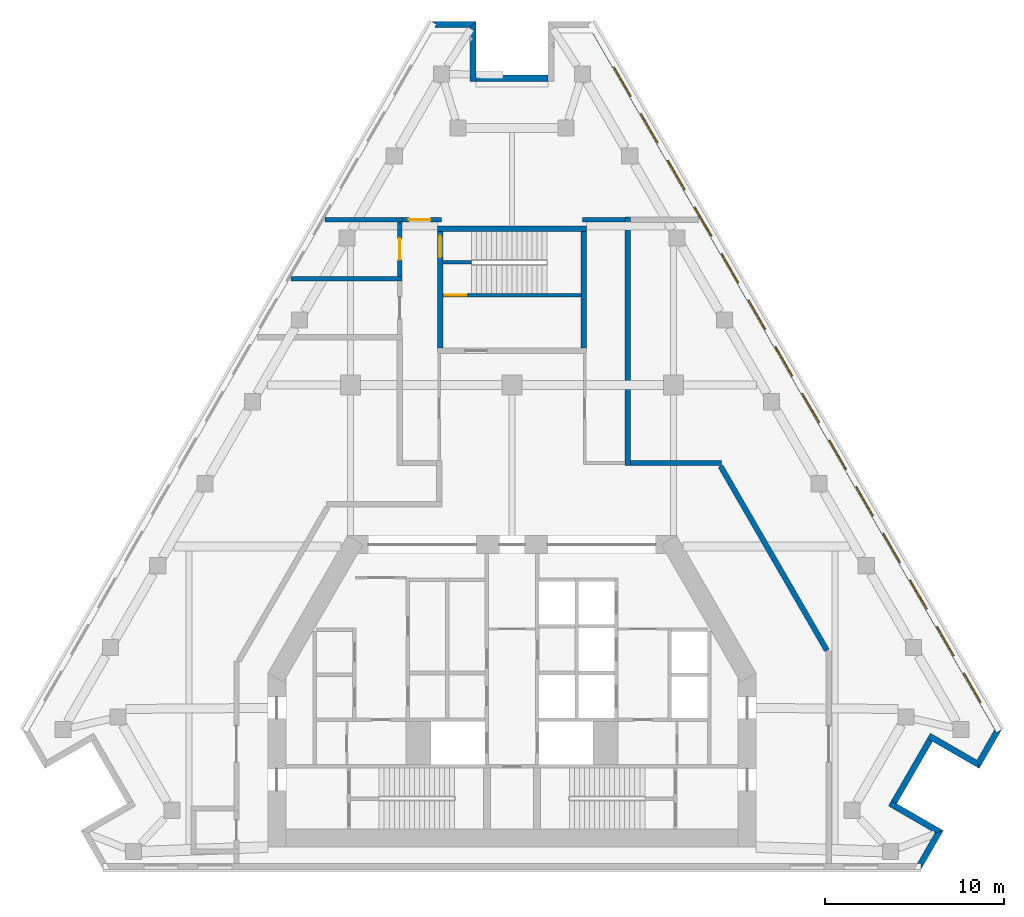
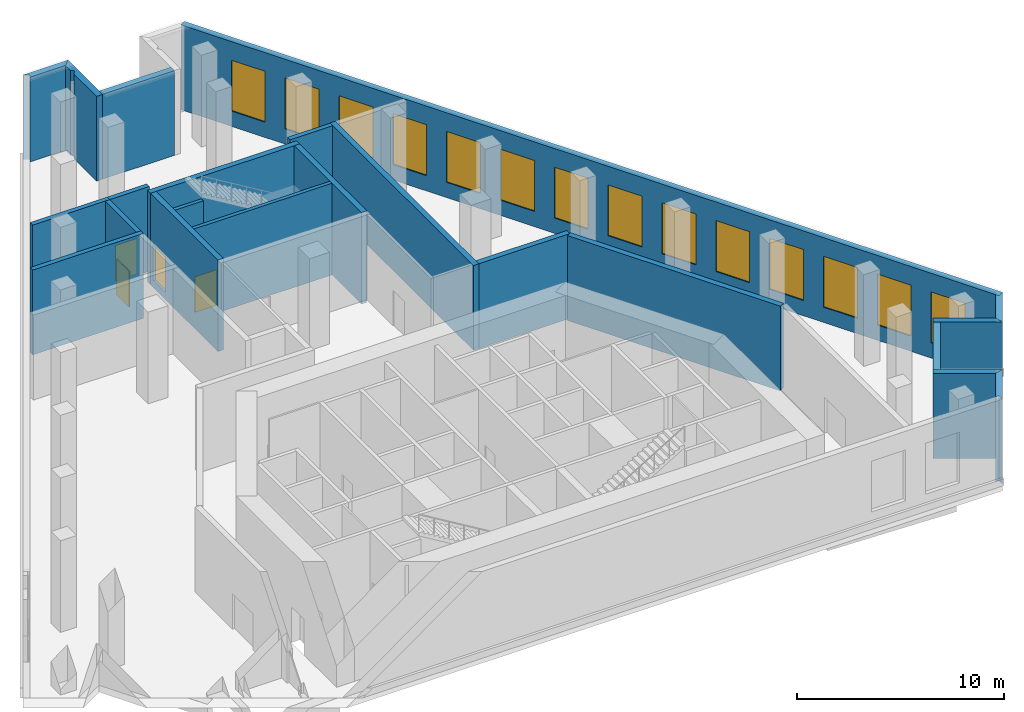
# One storey, part 5 of 7: 22 walls, 14 windows, 4 doors, 18 openings.
"""IFC4 building model written with IfcOpenShell, lengths in metres."""

from ifc_helpers import new_model, si_unit, direction, frame, frame_2d, origin, place, context, subcontext, project, spatial, polyline, rectangle, outline, extrude, material, layer, layer_set, type_object, element, fill, save


model = new_model("IFC4")

# Units and contexts
model_context = context("Model", 3, precision=1e-05, world=origin(), true_north=direction((0.0, 1.0)))
body_context = subcontext(model_context, "Body", "Model", "MODEL_VIEW")
ifc_project = project(units=[si_unit("LENGTHUNIT", "METRE"), si_unit("AREAUNIT", "SQUARE_METRE"), si_unit("VOLUMEUNIT", "CUBIC_METRE"), si_unit("PLANEANGLEUNIT", "RADIAN"), si_unit("MASSUNIT", "GRAM", prefix="KILO")], contexts=[model_context])

# Site, building, storey
site_placement = place(None, origin())
site = spatial("IfcSite", under=ifc_project, at=site_placement, CompositionType="ELEMENT")
building_placement = place(site_placement, origin())
building = spatial("IfcBuilding", under=site, at=building_placement, Name="Fogline Exchange Tower", CompositionType="ELEMENT")
storey_placement = place(building_placement, frame((0.0, 0.0, 218.10009765625)))
storey = spatial("IfcBuildingStorey", under=building, at=storey_placement, Name="L49", CompositionType="ELEMENT", Elevation=218.10009765625)

# Wall
ifc_material_1 = material(Name="Concrete C40", Category="concrete")
ifc_layer_1 = layer(ifc_material_1, 0.199951171875)
ifc_layer_set_1 = layer_set([ifc_layer_1], Name="CW20B")
wall_type_1 = type_object("IfcWallType", Name="CW20B", PredefinedType="SOLIDWALL", material=ifc_layer_set_1)
wall_1_placement = place(storey_placement, frame((-3.85009765625, 33.83203125, 0.0), z_axis=(0.0, 0.0, 1.0), x_axis=(1.0, 0.0, 0.0)))
element("IfcWall", 1, at=wall_1_placement, inside=storey, type_object=wall_type_1, Name="Stair separation wall ST3", PredefinedType="SOLIDWALL", context=body_context, shape_type="SweptSolid", body=[
    extrude(rectangle(XDim=1.60009765625, YDim=0.199951171875, at=frame_2d((0.800048828125, 0.0))), origin(), (0.0, 0.0, 1.0), 5.0),
])

# Wall, opening, door
ifc_layer_2 = layer(ifc_material_1, 0.199951171875)
ifc_layer_set_2 = layer_set([ifc_layer_2], Name="CW20R")
wall_type_2 = type_object("IfcWallType", Name="CW20R", PredefinedType="SOLIDWALL", material=ifc_layer_set_2)
wall_2_placement = place(storey_placement, frame((-3.85009765625, 32.007080078125, -0.400146484375), z_axis=(0.0, 0.0, 1.0), x_axis=(1.0, 0.0, 0.0)))
wall_2 = element("IfcWall", 2, at=wall_2_placement, inside=storey, type_object=wall_type_2, Name="Stair enclosure wall ST3", PredefinedType="SOLIDWALL", context=body_context, shape_type="SweptSolid", body=[
    extrude(rectangle(XDim=7.7001953125, YDim=0.199951171875, at=frame_2d((3.85009765625, 0.0))), origin(), (0.0, 0.0, 1.0), 5.400146484375),
])
opening_1_placement = place(wall_2_placement, frame((0.10009765625, 0.0, 0.39990234375)))
opening_1 = element("IfcOpeningElement", 3, at=opening_1_placement, cuts=wall_2, Name="Opening L49-C028", PredefinedType="OPENING", context=body_context, shape_type="SweptSolid", body=[
    extrude(rectangle(XDim=1.199951171875, YDim=2.10009765625, at=frame_2d((0.60009765625, 1.050048828125))), frame((0.0, 0.10986328125, 0.0), z_axis=(0.0, -1.0, 0.0), x_axis=(1.0, 0.0, 0.0)), (0.0, 0.0, 1.0), 0.219970703125),
])
ifc_material_2 = material(Name="Steel and timber fire door", Category="steel")
door_type_1 = type_object("IfcDoorType", Name="D-ST1", OperationType="SINGLE_SWING_LEFT", PredefinedType="DOOR", material=ifc_material_2)
door_1_placement = place(opening_1_placement, origin())
door_1 = element("IfcDoor", 4, at=door_1_placement, inside=storey, type_object=door_type_1, Name="Stair door ST3", OperationType="SINGLE_SWING_LEFT", OverallHeight=2.10009765625, OverallWidth=1.199951171875, PredefinedType="DOOR", context=body_context, shape_type="SweptSolid", body=[
    extrude(rectangle(XDim=1.199951171875, YDim=2.10009765625, at=frame_2d((0.60009765625, 1.050048828125))), frame((0.0, 0.02490234375, 0.0), z_axis=(0.0, -1.0, 0.0), x_axis=(1.0, 0.0, 0.0)), (0.0, 0.0, 1.0), 0.050048828125),
])
fill(opening_1, door_1)

# Wall
ifc_layer_3 = layer(ifc_material_1, 0.300048828125)
ifc_layer_set_3 = layer_set([ifc_layer_3], Name="CW30")
wall_type_3 = type_object("IfcWallType", Name="CW30", PredefinedType="SOLIDWALL", material=ifc_layer_set_3)
wall_3_placement = place(storey_placement, frame((-4.14990234375, 35.70703125, -0.400146484375), z_axis=(0.0, 0.0, 1.0), x_axis=(1.0, 0.0, 0.0)))
element("IfcWall", 5, at=wall_3_placement, inside=storey, type_object=wall_type_3, Name="Stair enclosure wall ST3", PredefinedType="SOLIDWALL", context=body_context, shape_type="SweptSolid", body=[
    extrude(rectangle(XDim=8.2998046875, YDim=0.300048828125, at=frame_2d((4.14990234375, 0.0))), origin(), (0.0, 0.0, 1.0), 5.400146484375),
])

# Wall, opening, door
wall_4_placement = place(storey_placement, frame((-4.0, 29.056884765625, -0.400146484375), z_axis=(0.0, 0.0, 1.0), x_axis=(0.0, 1.0, 0.0)))
wall_4 = element("IfcWall", 6, at=wall_4_placement, inside=storey, type_object=wall_type_3, Name="Stair enclosure wall ST3", PredefinedType="SOLIDWALL", context=body_context, shape_type="SweptSolid", body=[
    extrude(rectangle(XDim=6.5, YDim=0.300048828125, at=frame_2d((3.25, 0.0))), origin(), (0.0, 0.0, 1.0), 5.400146484375),
])
opening_2_placement = place(wall_4_placement, frame((5.050048828125, 0.0, 0.39990234375)))
opening_2 = element("IfcOpeningElement", 7, at=opening_2_placement, cuts=wall_4, Name="Opening L49-C029", PredefinedType="OPENING", context=body_context, shape_type="SweptSolid", body=[
    extrude(rectangle(XDim=1.199951171875, YDim=2.10009765625, at=frame_2d((0.60009765625, 1.050048828125))), frame((0.0, 0.16015625, 0.0), z_axis=(0.0, -1.0, 0.0), x_axis=(1.0, 0.0, 0.0)), (0.0, 0.0, 1.0), 0.320068359375),
])
door_2_placement = place(opening_2_placement, origin())
door_2 = element("IfcDoor", 8, at=door_2_placement, inside=storey, type_object=door_type_1, Name="Stair arrival door ST3", OperationType="SINGLE_SWING_RIGHT", OverallHeight=2.10009765625, OverallWidth=1.199951171875, PredefinedType="DOOR", context=body_context, shape_type="SweptSolid", body=[
    extrude(rectangle(XDim=1.199951171875, YDim=2.10009765625, at=frame_2d((0.60009765625, 1.050048828125))), frame((0.0, 0.02490234375, 0.0), z_axis=(0.0, -1.0, 0.0), x_axis=(1.0, 0.0, 0.0)), (0.0, 0.0, 1.0), 0.050048828125),
])
fill(opening_2, door_2)

# Walls
wall_5_placement = place(storey_placement, frame((4.0, 29.056884765625, -0.400146484375), z_axis=(0.0, 0.0, 1.0), x_axis=(0.0, 1.0, 0.0)))
element("IfcWall", 9, at=wall_5_placement, inside=storey, type_object=wall_type_3, Name="Stair enclosure wall ST3", PredefinedType="SOLIDWALL", context=body_context, shape_type="SweptSolid", body=[
    extrude(rectangle(XDim=6.5, YDim=0.300048828125, at=frame_2d((3.25, 0.0))), origin(), (0.0, 0.0, 1.0), 5.400146484375),
])
ifc_material_3 = material(Name="Brick masonry", Category="masonry")
ifc_layer_4 = layer(ifc_material_3, 0.340087890625)
ifc_layer_set_4 = layer_set([ifc_layer_4], Name="FW3")
wall_type_4 = type_object("IfcWallType", Name="FW3", PredefinedType="SOLIDWALL", material=ifc_layer_set_4)
wall_6_placement = place(storey_placement, origin())
element("IfcWall", 10, at=wall_6_placement, inside=storey, type_object=wall_type_4, Name="Brick wall L49 SE-c1", PredefinedType="SOLIDWALL", context=body_context, shape_type="SweptSolid", body=[
    extrude(outline(polyline([(24.03759765625, 2.165771484375), (22.78662109375, -0.001220703125), (22.785888671875, -0.0009765625), (22.785888671875, 0.33935546875), (22.589111328125, 0.33935546875), (23.57177734375, 2.041015625), (24.037353515625, 2.166015625), (24.03759765625, 2.165771484375)])), origin(), (0.0, 0.0, 1.0), 5.0),
])
wall_7_placement = place(storey_placement, origin())
element("IfcWall", 11, at=wall_7_placement, inside=storey, type_object=wall_type_4, Name="Brick wall L49 SE-s1", PredefinedType="SOLIDWALL", context=body_context, shape_type="SweptSolid", body=[
    extrude(outline(polyline([(20.97314453125, 3.540283203125), (21.143798828125, 3.8359375), (21.438720703125, 3.66552734375), (24.037841796875, 2.1650390625), (24.03759765625, 2.164794921875), (23.572021484375, 2.0400390625), (20.97314453125, 3.540283203125)])), origin(), (0.0, 0.0, 1.0), 5.0),
])
wall_8_placement = place(storey_placement, frame((21.291259765625, 3.75, 0.0), z_axis=(0.0, 0.0, 1.0), x_axis=(0.49999894854, 0.866026010844, 0.0)))
element("IfcWall", 12, at=wall_8_placement, inside=storey, type_object=wall_type_4, Name="Brick wall L49 SE-bk", PredefinedType="SOLIDWALL", context=body_context, shape_type="SweptSolid", body=[
    extrude(rectangle(XDim=4.0, YDim=0.340087890625, at=frame_2d((2.0, 0.0))), origin(), (0.0, 0.0, 1.0), 5.0),
])
wall_9_placement = place(storey_placement, origin())
element("IfcWall", 13, at=wall_9_placement, inside=storey, type_object=wall_type_4, Name="Brick wall L49 SE-s2", PredefinedType="SOLIDWALL", context=body_context, shape_type="SweptSolid", body=[
    extrude(outline(polyline([(26.037109375, 5.628173828125), (23.438232421875, 7.128662109375), (23.14306640625, 7.298828125), (23.313720703125, 7.594482421875), (25.91259765625, 6.093994140625), (26.037353515625, 5.62841796875), (26.037109375, 5.628173828125)])), origin(), (0.0, 0.0, 1.0), 5.0),
])
wall_10_placement = place(storey_placement, origin())
element("IfcWall", 14, at=wall_10_placement, inside=storey, type_object=wall_type_4, Name="Brick wall L49 SE-c2", PredefinedType="SOLIDWALL", context=body_context, shape_type="SweptSolid", body=[
    extrude(outline(polyline([(26.89404296875, 7.79541015625), (26.9921875, 7.625), (27.287109375, 7.79541015625), (27.28759765625, 7.794921875), (26.03662109375, 5.6279296875), (26.0361328125, 5.6279296875), (25.911376953125, 6.09375), (26.89404296875, 7.79541015625)])), origin(), (0.0, 0.0, 1.0), 5.0),
])

# Wall, openings, windows
wall_11_placement = place(storey_placement, frame((27.139404296875, 7.709228515625, 0.0), z_axis=(0.0, 0.0, 1.0), x_axis=(-0.500000533701, 0.866025095652, 0.0)))
wall_11 = element("IfcWall", 15, at=wall_11_placement, inside=storey, type_object=wall_type_4, Name="Brick wall L49 E", PredefinedType="SOLIDWALL", context=body_context, shape_type="SweptSolid", body=[
    extrude(rectangle(XDim=45.5732421875, YDim=0.340087890625, at=frame_2d((22.78662109375, 0.0))), origin(), (0.0, 0.0, 1.0), 5.0),
])
opening_3_placement = place(wall_11_placement, frame((1.893310546875, 0.0, 0.89990234375)))
opening_3 = element("IfcOpeningElement", 16, at=opening_3_placement, cuts=wall_11, Name="Opening W6", PredefinedType="OPENING", context=body_context, shape_type="SweptSolid", body=[
    extrude(rectangle(XDim=1.885009765625, YDim=3.0, at=frame_2d((0.9423828125, 1.5))), frame((0.0, 0.18017578125, 0.0), z_axis=(0.0, -1.0, 0.0), x_axis=(1.0, 0.0, 0.0)), (0.0, 0.0, 1.0), 0.360107421875),
])
opening_4_placement = place(wall_11_placement, frame((4.893310546875, 0.0, 0.89990234375)))
opening_4 = element("IfcOpeningElement", 17, at=opening_4_placement, cuts=wall_11, Name="Opening W6", PredefinedType="OPENING", context=body_context, shape_type="SweptSolid", body=[
    extrude(rectangle(XDim=1.885009765625, YDim=3.0, at=frame_2d((0.9423828125, 1.5))), frame((0.0, 0.18017578125, 0.0), z_axis=(0.0, -1.0, 0.0), x_axis=(1.0, 0.0, 0.0)), (0.0, 0.0, 1.0), 0.360107421875),
])
opening_5_placement = place(wall_11_placement, frame((7.893310546875, 0.0, 0.89990234375)))
opening_5 = element("IfcOpeningElement", 18, at=opening_5_placement, cuts=wall_11, Name="Opening W6", PredefinedType="OPENING", context=body_context, shape_type="SweptSolid", body=[
    extrude(rectangle(XDim=1.885009765625, YDim=3.0, at=frame_2d((0.9423828125, 1.5))), frame((0.0, 0.18017578125, 0.0), z_axis=(0.0, -1.0, 0.0), x_axis=(1.0, 0.0, 0.0)), (0.0, 0.0, 1.0), 0.360107421875),
])
opening_6_placement = place(wall_11_placement, frame((10.893310546875, 0.0, 0.89990234375)))
opening_6 = element("IfcOpeningElement", 19, at=opening_6_placement, cuts=wall_11, Name="Opening W6", PredefinedType="OPENING", context=body_context, shape_type="SweptSolid", body=[
    extrude(rectangle(XDim=1.885009765625, YDim=3.0, at=frame_2d((0.9423828125, 1.5))), frame((0.0, 0.18017578125, 0.0), z_axis=(0.0, -1.0, 0.0), x_axis=(1.0, 0.0, 0.0)), (0.0, 0.0, 1.0), 0.360107421875),
])
opening_7_placement = place(wall_11_placement, frame((13.893310546875, 0.0, 0.89990234375)))
opening_7 = element("IfcOpeningElement", 20, at=opening_7_placement, cuts=wall_11, Name="Opening W6", PredefinedType="OPENING", context=body_context, shape_type="SweptSolid", body=[
    extrude(rectangle(XDim=1.885009765625, YDim=3.0, at=frame_2d((0.9423828125, 1.5))), frame((0.0, 0.18017578125, 0.0), z_axis=(0.0, -1.0, 0.0), x_axis=(1.0, 0.0, 0.0)), (0.0, 0.0, 1.0), 0.360107421875),
])
opening_8_placement = place(wall_11_placement, frame((16.893310546875, 0.0, 0.89990234375)))
opening_8 = element("IfcOpeningElement", 21, at=opening_8_placement, cuts=wall_11, Name="Opening W6", PredefinedType="OPENING", context=body_context, shape_type="SweptSolid", body=[
    extrude(rectangle(XDim=1.885009765625, YDim=3.0, at=frame_2d((0.9423828125, 1.5))), frame((0.0, 0.18017578125, 0.0), z_axis=(0.0, -1.0, 0.0), x_axis=(1.0, 0.0, 0.0)), (0.0, 0.0, 1.0), 0.360107421875),
])
opening_9_placement = place(wall_11_placement, frame((19.893310546875, 0.0, 0.89990234375)))
opening_9 = element("IfcOpeningElement", 22, at=opening_9_placement, cuts=wall_11, Name="Opening W6", PredefinedType="OPENING", context=body_context, shape_type="SweptSolid", body=[
    extrude(rectangle(XDim=1.885009765625, YDim=3.0, at=frame_2d((0.9423828125, 1.5))), frame((0.0, 0.18017578125, 0.0), z_axis=(0.0, -1.0, 0.0), x_axis=(1.0, 0.0, 0.0)), (0.0, 0.0, 1.0), 0.360107421875),
])
opening_10_placement = place(wall_11_placement, frame((22.893310546875, 0.0, 0.89990234375)))
opening_10 = element("IfcOpeningElement", 23, at=opening_10_placement, cuts=wall_11, Name="Opening W6", PredefinedType="OPENING", context=body_context, shape_type="SweptSolid", body=[
    extrude(rectangle(XDim=1.885009765625, YDim=3.0, at=frame_2d((0.9423828125, 1.5))), frame((0.0, 0.18017578125, 0.0), z_axis=(0.0, -1.0, 0.0), x_axis=(1.0, 0.0, 0.0)), (0.0, 0.0, 1.0), 0.360107421875),
])
opening_11_placement = place(wall_11_placement, frame((25.893310546875, 0.0, 0.89990234375)))
opening_11 = element("IfcOpeningElement", 24, at=opening_11_placement, cuts=wall_11, Name="Opening W6", PredefinedType="OPENING", context=body_context, shape_type="SweptSolid", body=[
    extrude(rectangle(XDim=1.885009765625, YDim=3.0, at=frame_2d((0.9423828125, 1.5))), frame((0.0, 0.18017578125, 0.0), z_axis=(0.0, -1.0, 0.0), x_axis=(1.0, 0.0, 0.0)), (0.0, 0.0, 1.0), 0.360107421875),
])
opening_12_placement = place(wall_11_placement, frame((28.893310546875, 0.0, 0.89990234375)))
opening_12 = element("IfcOpeningElement", 25, at=opening_12_placement, cuts=wall_11, Name="Opening W6", PredefinedType="OPENING", context=body_context, shape_type="SweptSolid", body=[
    extrude(rectangle(XDim=1.885009765625, YDim=3.0, at=frame_2d((0.9423828125, 1.5))), frame((0.0, 0.18017578125, 0.0), z_axis=(0.0, -1.0, 0.0), x_axis=(1.0, 0.0, 0.0)), (0.0, 0.0, 1.0), 0.360107421875),
])
opening_13_placement = place(wall_11_placement, frame((31.893310546875, 0.0, 0.89990234375)))
opening_13 = element("IfcOpeningElement", 26, at=opening_13_placement, cuts=wall_11, Name="Opening W6", PredefinedType="OPENING", context=body_context, shape_type="SweptSolid", body=[
    extrude(rectangle(XDim=1.885009765625, YDim=3.0, at=frame_2d((0.9423828125, 1.5))), frame((0.0, 0.18017578125, 0.0), z_axis=(0.0, -1.0, 0.0), x_axis=(1.0, 0.0, 0.0)), (0.0, 0.0, 1.0), 0.360107421875),
])
opening_14_placement = place(wall_11_placement, frame((34.893310546875, 0.0, 0.89990234375)))
opening_14 = element("IfcOpeningElement", 27, at=opening_14_placement, cuts=wall_11, Name="Opening W6", PredefinedType="OPENING", context=body_context, shape_type="SweptSolid", body=[
    extrude(rectangle(XDim=1.885009765625, YDim=3.0, at=frame_2d((0.9423828125, 1.5))), frame((0.0, 0.18017578125, 0.0), z_axis=(0.0, -1.0, 0.0), x_axis=(1.0, 0.0, 0.0)), (0.0, 0.0, 1.0), 0.360107421875),
])
opening_15_placement = place(wall_11_placement, frame((37.893310546875, 0.0, 0.89990234375)))
opening_15 = element("IfcOpeningElement", 28, at=opening_15_placement, cuts=wall_11, Name="Opening W6", PredefinedType="OPENING", context=body_context, shape_type="SweptSolid", body=[
    extrude(rectangle(XDim=1.885009765625, YDim=3.0, at=frame_2d((0.9423828125, 1.5))), frame((0.0, 0.18017578125, 0.0), z_axis=(0.0, -1.0, 0.0), x_axis=(1.0, 0.0, 0.0)), (0.0, 0.0, 1.0), 0.360107421875),
])
opening_16_placement = place(wall_11_placement, frame((40.893310546875, 0.0, 0.89990234375)))
opening_16 = element("IfcOpeningElement", 29, at=opening_16_placement, cuts=wall_11, Name="Opening W6", PredefinedType="OPENING", context=body_context, shape_type="SweptSolid", body=[
    extrude(rectangle(XDim=1.885009765625, YDim=3.0, at=frame_2d((0.9423828125, 1.5))), frame((0.0, 0.18017578125, 0.0), z_axis=(0.0, -1.0, 0.0), x_axis=(1.0, 0.0, 0.0)), (0.0, 0.0, 1.0), 0.360107421875),
])
ifc_material_4 = material(Name="Aluminium louvre", Category="aluminium")
window_type = type_object("IfcWindowType", Name="W6", PartitioningType="SINGLE_PANEL", PredefinedType="WINDOW", material=ifc_material_4)
window_1_placement = place(opening_3_placement, origin())
window_1 = element("IfcWindow", 30, at=window_1_placement, inside=storey, type_object=window_type, Name="W6 W6", OverallHeight=3.0, OverallWidth=1.885009765625, PartitioningType="SINGLE_PANEL", PredefinedType="WINDOW", context=body_context, shape_type="SweptSolid", body=[
    extrude(rectangle(XDim=1.885009765625, YDim=3.0, at=frame_2d((0.9423828125, 1.5))), frame((0.0, 0.110107421875, 0.0), z_axis=(0.0, -1.0, 0.0), x_axis=(1.0, 0.0, 0.0)), (0.0, 0.0, 1.0), 0.06005859375),
])
fill(opening_3, window_1)
window_2_placement = place(opening_4_placement, origin())
window_2 = element("IfcWindow", 31, at=window_2_placement, inside=storey, type_object=window_type, Name="W6 W6", OverallHeight=3.0, OverallWidth=1.885009765625, PartitioningType="SINGLE_PANEL", PredefinedType="WINDOW", context=body_context, shape_type="SweptSolid", body=[
    extrude(rectangle(XDim=1.885009765625, YDim=3.0, at=frame_2d((0.9423828125, 1.5))), frame((0.0, 0.110107421875, 0.0), z_axis=(0.0, -1.0, 0.0), x_axis=(1.0, 0.0, 0.0)), (0.0, 0.0, 1.0), 0.06005859375),
])
fill(opening_4, window_2)
window_3_placement = place(opening_5_placement, origin())
window_3 = element("IfcWindow", 32, at=window_3_placement, inside=storey, type_object=window_type, Name="W6 W6", OverallHeight=3.0, OverallWidth=1.885009765625, PartitioningType="SINGLE_PANEL", PredefinedType="WINDOW", context=body_context, shape_type="SweptSolid", body=[
    extrude(rectangle(XDim=1.885009765625, YDim=3.0, at=frame_2d((0.9423828125, 1.5))), frame((0.0, 0.110107421875, 0.0), z_axis=(0.0, -1.0, 0.0), x_axis=(1.0, 0.0, 0.0)), (0.0, 0.0, 1.0), 0.06005859375),
])
fill(opening_5, window_3)
window_4_placement = place(opening_6_placement, origin())
window_4 = element("IfcWindow", 33, at=window_4_placement, inside=storey, type_object=window_type, Name="W6 W6", OverallHeight=3.0, OverallWidth=1.885009765625, PartitioningType="SINGLE_PANEL", PredefinedType="WINDOW", context=body_context, shape_type="SweptSolid", body=[
    extrude(rectangle(XDim=1.885009765625, YDim=3.0, at=frame_2d((0.9423828125, 1.5))), frame((0.0, 0.110107421875, 0.0), z_axis=(0.0, -1.0, 0.0), x_axis=(1.0, 0.0, 0.0)), (0.0, 0.0, 1.0), 0.06005859375),
])
fill(opening_6, window_4)
window_5_placement = place(opening_7_placement, origin())
window_5 = element("IfcWindow", 34, at=window_5_placement, inside=storey, type_object=window_type, Name="W6 W6", OverallHeight=3.0, OverallWidth=1.885009765625, PartitioningType="SINGLE_PANEL", PredefinedType="WINDOW", context=body_context, shape_type="SweptSolid", body=[
    extrude(rectangle(XDim=1.885009765625, YDim=3.0, at=frame_2d((0.9423828125, 1.5))), frame((0.0, 0.110107421875, 0.0), z_axis=(0.0, -1.0, 0.0), x_axis=(1.0, 0.0, 0.0)), (0.0, 0.0, 1.0), 0.06005859375),
])
fill(opening_7, window_5)
window_6_placement = place(opening_8_placement, origin())
window_6 = element("IfcWindow", 35, at=window_6_placement, inside=storey, type_object=window_type, Name="W6 W6", OverallHeight=3.0, OverallWidth=1.885009765625, PartitioningType="SINGLE_PANEL", PredefinedType="WINDOW", context=body_context, shape_type="SweptSolid", body=[
    extrude(rectangle(XDim=1.885009765625, YDim=3.0, at=frame_2d((0.9423828125, 1.5))), frame((0.0, 0.110107421875, 0.0), z_axis=(0.0, -1.0, 0.0), x_axis=(1.0, 0.0, 0.0)), (0.0, 0.0, 1.0), 0.06005859375),
])
fill(opening_8, window_6)
window_7_placement = place(opening_9_placement, origin())
window_7 = element("IfcWindow", 36, at=window_7_placement, inside=storey, type_object=window_type, Name="W6 W6", OverallHeight=3.0, OverallWidth=1.885009765625, PartitioningType="SINGLE_PANEL", PredefinedType="WINDOW", context=body_context, shape_type="SweptSolid", body=[
    extrude(rectangle(XDim=1.885009765625, YDim=3.0, at=frame_2d((0.9423828125, 1.5))), frame((0.0, 0.110107421875, 0.0), z_axis=(0.0, -1.0, 0.0), x_axis=(1.0, 0.0, 0.0)), (0.0, 0.0, 1.0), 0.06005859375),
])
fill(opening_9, window_7)
window_8_placement = place(opening_10_placement, origin())
window_8 = element("IfcWindow", 37, at=window_8_placement, inside=storey, type_object=window_type, Name="W6 W6", OverallHeight=3.0, OverallWidth=1.885009765625, PartitioningType="SINGLE_PANEL", PredefinedType="WINDOW", context=body_context, shape_type="SweptSolid", body=[
    extrude(rectangle(XDim=1.885009765625, YDim=3.0, at=frame_2d((0.9423828125, 1.5))), frame((0.0, 0.110107421875, 0.0), z_axis=(0.0, -1.0, 0.0), x_axis=(1.0, 0.0, 0.0)), (0.0, 0.0, 1.0), 0.06005859375),
])
fill(opening_10, window_8)
window_9_placement = place(opening_11_placement, origin())
window_9 = element("IfcWindow", 38, at=window_9_placement, inside=storey, type_object=window_type, Name="W6 W6", OverallHeight=3.0, OverallWidth=1.885009765625, PartitioningType="SINGLE_PANEL", PredefinedType="WINDOW", context=body_context, shape_type="SweptSolid", body=[
    extrude(rectangle(XDim=1.885009765625, YDim=3.0, at=frame_2d((0.9423828125, 1.5))), frame((0.0, 0.110107421875, 0.0), z_axis=(0.0, -1.0, 0.0), x_axis=(1.0, 0.0, 0.0)), (0.0, 0.0, 1.0), 0.06005859375),
])
fill(opening_11, window_9)
window_10_placement = place(opening_12_placement, origin())
window_10 = element("IfcWindow", 39, at=window_10_placement, inside=storey, type_object=window_type, Name="W6 W6", OverallHeight=3.0, OverallWidth=1.885009765625, PartitioningType="SINGLE_PANEL", PredefinedType="WINDOW", context=body_context, shape_type="SweptSolid", body=[
    extrude(rectangle(XDim=1.885009765625, YDim=3.0, at=frame_2d((0.9423828125, 1.5))), frame((0.0, 0.110107421875, 0.0), z_axis=(0.0, -1.0, 0.0), x_axis=(1.0, 0.0, 0.0)), (0.0, 0.0, 1.0), 0.06005859375),
])
fill(opening_12, window_10)
window_11_placement = place(opening_13_placement, origin())
window_11 = element("IfcWindow", 40, at=window_11_placement, inside=storey, type_object=window_type, Name="W6 W6", OverallHeight=3.0, OverallWidth=1.885009765625, PartitioningType="SINGLE_PANEL", PredefinedType="WINDOW", context=body_context, shape_type="SweptSolid", body=[
    extrude(rectangle(XDim=1.885009765625, YDim=3.0, at=frame_2d((0.9423828125, 1.5))), frame((0.0, 0.110107421875, 0.0), z_axis=(0.0, -1.0, 0.0), x_axis=(1.0, 0.0, 0.0)), (0.0, 0.0, 1.0), 0.06005859375),
])
fill(opening_13, window_11)
window_12_placement = place(opening_14_placement, origin())
window_12 = element("IfcWindow", 41, at=window_12_placement, inside=storey, type_object=window_type, Name="W6 W6", OverallHeight=3.0, OverallWidth=1.885009765625, PartitioningType="SINGLE_PANEL", PredefinedType="WINDOW", context=body_context, shape_type="SweptSolid", body=[
    extrude(rectangle(XDim=1.885009765625, YDim=3.0, at=frame_2d((0.9423828125, 1.5))), frame((0.0, 0.110107421875, 0.0), z_axis=(0.0, -1.0, 0.0), x_axis=(1.0, 0.0, 0.0)), (0.0, 0.0, 1.0), 0.06005859375),
])
fill(opening_14, window_12)
window_13_placement = place(opening_15_placement, origin())
window_13 = element("IfcWindow", 42, at=window_13_placement, inside=storey, type_object=window_type, Name="W6 W6", OverallHeight=3.0, OverallWidth=1.885009765625, PartitioningType="SINGLE_PANEL", PredefinedType="WINDOW", context=body_context, shape_type="SweptSolid", body=[
    extrude(rectangle(XDim=1.885009765625, YDim=3.0, at=frame_2d((0.9423828125, 1.5))), frame((0.0, 0.110107421875, 0.0), z_axis=(0.0, -1.0, 0.0), x_axis=(1.0, 0.0, 0.0)), (0.0, 0.0, 1.0), 0.06005859375),
])
fill(opening_15, window_13)
window_14_placement = place(opening_16_placement, origin())
window_14 = element("IfcWindow", 43, at=window_14_placement, inside=storey, type_object=window_type, Name="W6 W6", OverallHeight=3.0, OverallWidth=1.885009765625, PartitioningType="SINGLE_PANEL", PredefinedType="WINDOW", context=body_context, shape_type="SweptSolid", body=[
    extrude(rectangle(XDim=1.885009765625, YDim=3.0, at=frame_2d((0.9423828125, 1.5))), frame((0.0, 0.110107421875, 0.0), z_axis=(0.0, -1.0, 0.0), x_axis=(1.0, 0.0, 0.0)), (0.0, 0.0, 1.0), 0.06005859375),
])
fill(opening_16, window_14)

# Walls
wall_12_placement = place(storey_placement, frame((2.0, 44.091552734375, 0.0), z_axis=(0.0, 0.0, 1.0), x_axis=(-1.0, 0.0, 0.0)))
element("IfcWall", 44, at=wall_12_placement, inside=storey, type_object=wall_type_4, Name="Brick wall L49 N-bk", PredefinedType="SOLIDWALL", context=body_context, shape_type="SweptSolid", body=[
    extrude(rectangle(XDim=4.0, YDim=0.340087890625, at=frame_2d((2.0, 0.0))), origin(), (0.0, 0.0, 1.0), 5.0),
])
wall_13_placement = place(storey_placement, origin())
element("IfcWall", 45, at=wall_13_placement, inside=storey, type_object=wall_type_4, Name="Brick wall L49 N-s2", PredefinedType="SOLIDWALL", context=body_context, shape_type="SweptSolid", body=[
    extrude(outline(polyline([(-1.99951171875, 43.921142578125), (-2.340576171875, 43.921142578125), (-2.340576171875, 46.09814453125), (-2.18017578125, 46.3115234375), (-2.340576171875, 46.43212890625), (-2.340576171875, 46.921875), (-1.999755859375, 47.262939453125), (-1.99951171875, 47.2626953125), (-1.99951171875, 43.921142578125)])), origin(), (0.0, 0.0, 1.0), 5.0),
])
wall_14_placement = place(storey_placement, origin())
element("IfcWall", 46, at=wall_14_placement, inside=storey, type_object=wall_type_4, Name="Brick wall L49 N-c2", PredefinedType="SOLIDWALL", context=body_context, shape_type="SweptSolid", body=[
    extrude(outline(polyline([(-4.3046875, 46.921142578125), (-4.206298828125, 47.09130859375), (-4.501220703125, 47.26171875), (-4.5009765625, 47.26220703125), (-1.9990234375, 47.26220703125), (-1.998779296875, 47.261962890625), (-2.33984375, 46.921142578125), (-4.3046875, 46.921142578125)])), origin(), (0.0, 0.0, 1.0), 5.0),
])
ifc_layer_5 = layer(ifc_material_1, 0.25)
ifc_layer_set_5 = layer_set([ifc_layer_5], Name="PP3")
wall_type_5 = type_object("IfcWallType", Name="PP3", PredefinedType="SOLIDWALL", material=ifc_layer_set_5)
wall_15_placement = place(storey_placement, frame((-12.310791015625, 32.927978515625, 0.0), z_axis=(0.0, 0.0, 1.0), x_axis=(1.0, 0.0, 0.0)))
element("IfcWall", 47, at=wall_15_placement, inside=storey, type_object=wall_type_5, Name="PP3 partition", PredefinedType="SOLIDWALL", context=body_context, shape_type="SweptSolid", body=[
    extrude(rectangle(XDim=6.185791015625, YDim=0.25, at=frame_2d((3.0927734375, 0.0))), origin(), (0.0, 0.0, 1.0), 5.0),
])
wall_16_placement = place(storey_placement, frame((-6.125, 36.2060546875, 0.0), z_axis=(0.0, 0.0, 1.0), x_axis=(-1.0, 0.0, 0.0)))
element("IfcWall", 48, at=wall_16_placement, inside=storey, type_object=wall_type_5, Name="PP3 partition", PredefinedType="SOLIDWALL", context=body_context, shape_type="SweptSolid", body=[
    extrude(rectangle(XDim=4.293212890625, YDim=0.25, at=frame_2d((2.146484375, 0.0))), origin(), (0.0, 0.0, 1.0), 5.0),
])

# Wall, opening, door
wall_17_placement = place(storey_placement, frame((-6.25, 33.052978515625, 0.0), z_axis=(0.0, 0.0, 1.0), x_axis=(0.0, 1.0, 0.0)))
wall_17 = element("IfcWall", 49, at=wall_17_placement, inside=storey, type_object=wall_type_5, Name="PP3 partition", PredefinedType="SOLIDWALL", context=body_context, shape_type="SweptSolid", body=[
    extrude(rectangle(XDim=3.028076171875, YDim=0.25, at=frame_2d((1.51416015625, 0.0))), origin(), (0.0, 0.0, 1.0), 5.0),
])
opening_17_placement = place(wall_17_placement, frame((0.9140625, 0.0, 0.0)))
opening_17 = element("IfcOpeningElement", 50, at=opening_17_placement, cuts=wall_17, Name="Opening L49-D006", PredefinedType="OPENING", context=body_context, shape_type="SweptSolid", body=[
    extrude(rectangle(XDim=1.199951171875, YDim=2.10009765625, at=frame_2d((0.60009765625, 1.050048828125))), frame((0.0, 0.135009765625, 0.0), z_axis=(0.0, -1.0, 0.0), x_axis=(1.0, 0.0, 0.0)), (0.0, 0.0, 1.0), 0.27001953125),
])
ifc_material_5 = material(Name="Steel Q235B", Category="steel")
door_type_2 = type_object("IfcDoorType", Name="PD7", OperationType="SINGLE_SWING_LEFT", PredefinedType="DOOR", material=ifc_material_5)
door_3_placement = place(opening_17_placement, origin())
door_3 = element("IfcDoor", 51, at=door_3_placement, inside=storey, type_object=door_type_2, Name="L49-D006", OperationType="SINGLE_SWING_LEFT", OverallHeight=2.10009765625, OverallWidth=1.199951171875, PredefinedType="DOOR", context=body_context, shape_type="SweptSolid", body=[
    extrude(rectangle(XDim=1.199951171875, YDim=2.10009765625, at=frame_2d((0.60009765625, 1.050048828125))), frame((0.0, 0.02490234375, 0.0), z_axis=(0.0, -1.0, 0.0), x_axis=(1.0, 0.0, 0.0)), (0.0, 0.0, 1.0), 0.050048828125),
])
fill(opening_17, door_3)

# Wall
wall_18_placement = place(storey_placement, frame((3.925048828125, 36.20703125, 0.0), z_axis=(0.0, 0.0, 1.0), x_axis=(1.0, 0.0, 0.0)))
element("IfcWall", 52, at=wall_18_placement, inside=storey, type_object=wall_type_5, Name="PP3 partition", PredefinedType="SOLIDWALL", context=body_context, shape_type="SweptSolid", body=[
    extrude(rectangle(XDim=2.375, YDim=0.25, at=frame_2d((1.1875, 0.0))), origin(), (0.0, 0.0, 1.0), 5.0),
])

# Wall, opening, door
wall_19_placement = place(storey_placement, frame((-6.125, 36.20703125, 0.0), z_axis=(0.0, 0.0, 1.0), x_axis=(1.0, 0.0, 0.0)))
wall_19 = element("IfcWall", 53, at=wall_19_placement, inside=storey, type_object=wall_type_5, Name="PP3 partition", PredefinedType="SOLIDWALL", context=body_context, shape_type="SweptSolid", body=[
    extrude(rectangle(XDim=2.199951171875, YDim=0.25, at=frame_2d((1.10009765625, 0.0))), origin(), (0.0, 0.0, 1.0), 5.0),
])
opening_18_placement = place(wall_19_placement, frame((0.375, 0.0, 0.0)))
opening_18 = element("IfcOpeningElement", 54, at=opening_18_placement, cuts=wall_19, Name="Opening L49-D004", PredefinedType="OPENING", context=body_context, shape_type="SweptSolid", body=[
    extrude(rectangle(XDim=1.199951171875, YDim=2.10009765625, at=frame_2d((0.60009765625, 1.050048828125))), frame((0.0, 0.135009765625, 0.0), z_axis=(0.0, -1.0, 0.0), x_axis=(1.0, 0.0, 0.0)), (0.0, 0.0, 1.0), 0.27001953125),
])
door_4_placement = place(opening_18_placement, origin())
door_4 = element("IfcDoor", 55, at=door_4_placement, inside=storey, type_object=door_type_2, Name="L49-D004", OperationType="SINGLE_SWING_LEFT", OverallHeight=2.10009765625, OverallWidth=1.199951171875, PredefinedType="DOOR", context=body_context, shape_type="SweptSolid", body=[
    extrude(rectangle(XDim=1.199951171875, YDim=2.10009765625, at=frame_2d((0.60009765625, 1.050048828125))), frame((0.0, 0.02490234375, 0.0), z_axis=(0.0, -1.0, 0.0), x_axis=(1.0, 0.0, 0.0)), (0.0, 0.0, 1.0), 0.050048828125),
])
fill(opening_18, door_4)

# Walls
ifc_layer_6 = layer(ifc_material_1, 0.300048828125)
ifc_layer_set_6 = layer_set([ifc_layer_6], Name="PP4")
wall_type_6 = type_object("IfcWallType", Name="PP4", PredefinedType="SOLIDWALL", material=ifc_layer_set_6)
wall_20_placement = place(storey_placement, frame((6.449951171875, 36.35595703125, 0.0), z_axis=(0.0, 0.0, 1.0), x_axis=(0.0, -1.0, 0.0)))
element("IfcWall", 56, at=wall_20_placement, inside=storey, type_object=wall_type_6, Name="PP4 partition", PredefinedType="SOLIDWALL", context=body_context, shape_type="SweptSolid", body=[
    extrude(rectangle(XDim=13.85595703125, YDim=0.300048828125, at=frame_2d((6.927978515625, 0.0))), origin(), (0.0, 0.0, 1.0), 5.0),
])
wall_21_placement = place(storey_placement, frame((11.62060546875, 22.47412109375, 0.0), z_axis=(0.0, 0.0, 1.0), x_axis=(0.499991059272, -0.866030565655, 0.0)))
element("IfcWall", 57, at=wall_21_placement, inside=storey, type_object=wall_type_6, Name="PP4 partition", PredefinedType="SOLIDWALL", context=body_context, shape_type="SweptSolid", body=[
    extrude(rectangle(XDim=11.854248046875, YDim=0.300048828125, at=frame_2d((5.92724609375, 0.0))), origin(), (0.0, 0.0, 1.0), 5.0),
])
wall_22_placement = place(storey_placement, frame((6.60009765625, 22.64990234375, 0.0), z_axis=(0.0, 0.0, 1.0), x_axis=(1.0, 0.0, 0.0)))
element("IfcWall", 58, at=wall_22_placement, inside=storey, type_object=wall_type_6, Name="PP4 partition", PredefinedType="SOLIDWALL", context=body_context, shape_type="SweptSolid", body=[
    extrude(rectangle(XDim=5.067138671875, YDim=0.300048828125, at=frame_2d((2.53369140625, 0.0))), origin(), (0.0, 0.0, 1.0), 5.0),
])

save(model, "model.ifc")
